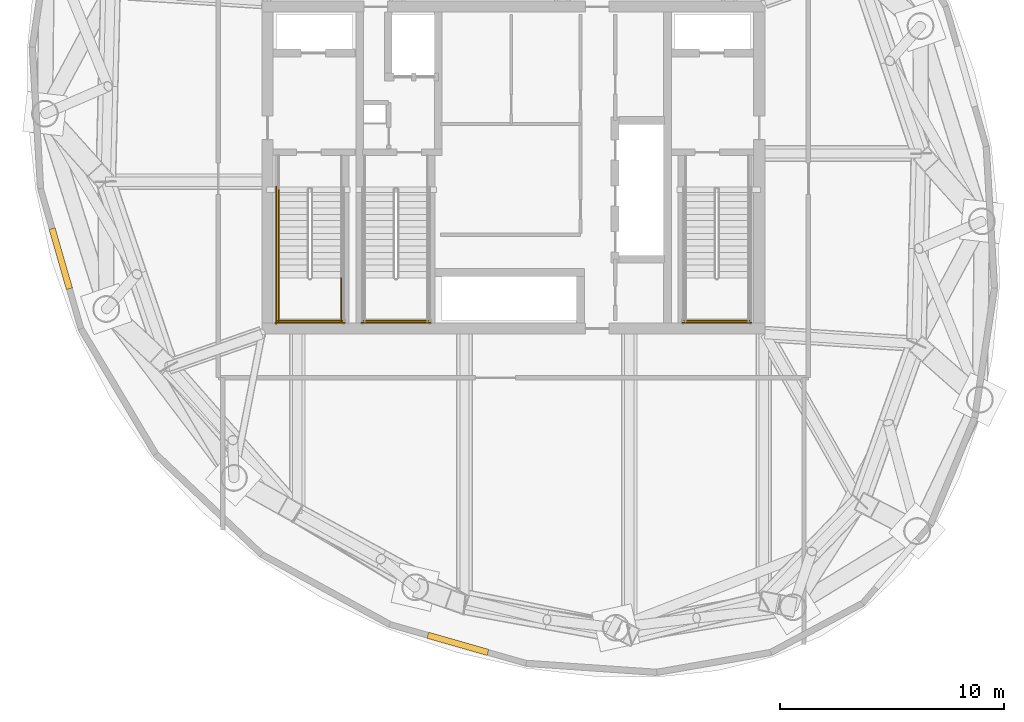
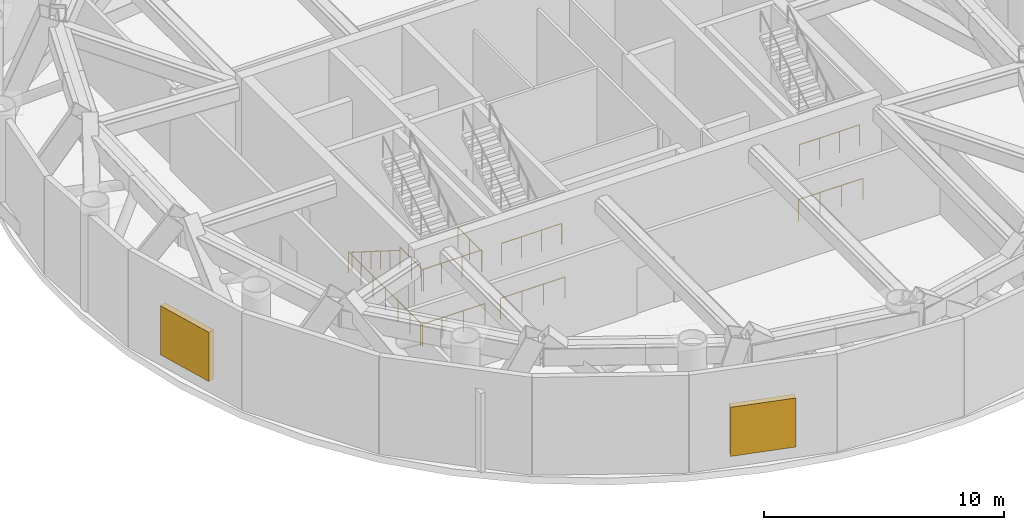
# One storey, part 7 of 9: 10 railings, 2 shading devices.
"""IFC4 building model written with IfcOpenShell, lengths in metres."""

import ifcopenshell
import ifcopenshell.guid

model = None  # the IFC model being written
_history = None  # IfcOwnerHistory: only IFC2X3 demands one
_inside = {}  # id of a spatial element -> (the spatial element, [elements in it])
_under = {}  # id of a project, library or spatial element -> (it, [spatial elements below it])
_declared = {}  # id of a project -> (the project, [libraries it declares])
_typed = {}  # id of a type object -> (the type object, [elements of that type])
_made_of = {}  # id of a material, layer set ... -> (it, [elements and type objects made of it])


def new_model(schema):
    """Start an empty IFC model of exactly this schema.

    Asked for "IFC4X3", IfcOpenShell would pick the latest addendum, in which some entities
    have other attributes; the version numbers below select the first issue.
    IFC2X3 requires an IfcOwnerHistory on every rooted entity: one is made here for all.
    """
    global model, _history
    if schema == "IFC4X3":
        model = ifcopenshell.file(schema_version=(4, 3, 0, 0))
    else:
        model = ifcopenshell.file(schema=schema)
    _inside.clear()
    _under.clear()
    _declared.clear()
    _typed.clear()
    _made_of.clear()
    _history = None
    if model.schema == "IFC2X3":
        org = make("IfcOrganization", Name="unknown")
        user = make(
            "IfcPersonAndOrganization",
            ThePerson=make("IfcPerson", FamilyName="unknown"),
            TheOrganization=org,
        )
        app = make(
            "IfcApplication",
            ApplicationDeveloper=org,
            Version="unknown",
            ApplicationFullName="unknown",
            ApplicationIdentifier="unknown",
        )
        _history = make(
            "IfcOwnerHistory",
            OwningUser=user,
            OwningApplication=app,
            ChangeAction="ADDED",
            CreationDate=0,
        )
    return model


def make(cls, **values):
    """One entity of the class cls with the attributes given. An attribute that is None is left unset."""
    return model.create_entity(
        cls, **{name: value for name, value in values.items() if value is not None}
    )


def rooted(cls, **values):
    """An entity with a GlobalId (a new one), such as an element, a storey or a relation."""
    return make(cls, GlobalId=ifcopenshell.guid.new(), OwnerHistory=_history, **values)


def si_unit(unit_type, name, prefix=None):
    """IfcSIUnit, for example si_unit("LENGTHUNIT", "METRE", prefix="MILLI")."""
    return make("IfcSIUnit", UnitType=unit_type, Prefix=prefix, Name=name)


def assignment(units):
    """IfcUnitAssignment: the units of a project."""
    return None if units is None else make("IfcUnitAssignment", Units=units)


def point(xyz):
    """IfcCartesianPoint."""
    return None if xyz is None else make("IfcCartesianPoint", Coordinates=xyz)


def direction(xyz):
    """IfcDirection."""
    return None if xyz is None else make("IfcDirection", DirectionRatios=xyz)


def frame(location, z_axis=None, x_axis=None):
    """IfcAxis2Placement3D, a coordinate frame: its origin and axes. An axis left out is left unset."""
    return make(
        "IfcAxis2Placement3D",
        Location=point(location),
        Axis=direction(z_axis),
        RefDirection=direction(x_axis),
    )


def frame_2d(location, x_axis=None):
    """IfcAxis2Placement2D, a coordinate frame in the plane: its origin and x axis."""
    return make(
        "IfcAxis2Placement2D", Location=point(location), RefDirection=direction(x_axis)
    )


def origin():
    """The frame at (0, 0, 0) with its axes left unset."""
    return frame((0.0, 0.0, 0.0))


def origin_2d():
    """The frame at (0, 0) in the plane with its x axis left unset."""
    return frame_2d((0.0, 0.0))


def place(relative_to, where):
    """IfcLocalPlacement: puts the frame where relative to a parent placement (None: the world)."""
    return make(
        "IfcLocalPlacement", PlacementRelTo=relative_to, RelativePlacement=where
    )


def context(
    kind, dimensions, precision=None, world=None, true_north=None, identifier=None
):
    """IfcGeometricRepresentationContext, for example the 3D "Model" context."""
    return make(
        "IfcGeometricRepresentationContext",
        ContextIdentifier=identifier,
        ContextType=kind,
        CoordinateSpaceDimension=dimensions,
        Precision=precision,
        WorldCoordinateSystem=world,
        TrueNorth=true_north,
    )


def subcontext(parent, identifier, kind, view, scale=None):
    """IfcGeometricRepresentationSubContext, for example "Body" below "Model"."""
    return make(
        "IfcGeometricRepresentationSubContext",
        ContextIdentifier=identifier,
        ContextType=kind,
        ParentContext=parent,
        TargetScale=scale,
        TargetView=view,
    )


def project(units=None, contexts=None):
    """IfcProject with its units and contexts."""
    return rooted(
        "IfcProject",
        Name="project",
        RepresentationContexts=contexts,
        UnitsInContext=assignment(units),
    )


def spatial(cls, under=None, at=None, **own):
    """A site, building, storey or space (cls), placed at a placement, below another one or the project."""
    s = rooted(cls, ObjectPlacement=at, **own)
    if under is not None:
        _under.setdefault(under.id(), (under, []))[1].append(s)
    return s


def profile(cls, at=None, kind="AREA", **sizes):
    """A parametric profile (cls). Its sizes go by their IFC names, for example OverallWidth=200.0."""
    return make(cls, ProfileType=kind, Position=at, **sizes)


def rectangle(**sizes):
    """IfcRectangleProfileDef."""
    return profile("IfcRectangleProfileDef", **sizes)


def circle(**sizes):
    """IfcCircleProfileDef."""
    return profile("IfcCircleProfileDef", **sizes)


def extrude(swept, where, along, depth):
    """IfcExtrudedAreaSolid: the profile swept, set in the frame where, extruded along a direction by depth."""
    return make(
        "IfcExtrudedAreaSolid",
        SweptArea=swept,
        Position=where,
        ExtrudedDirection=direction(along),
        Depth=depth,
    )


def shape(context_of_items, identifier, shape_type, items):
    """IfcShapeRepresentation: the items that make up one representation, for example the "Body"."""
    return make(
        "IfcShapeRepresentation",
        ContextOfItems=context_of_items,
        RepresentationIdentifier=identifier,
        RepresentationType=shape_type,
        Items=items,
    )


def material(Name=None, Category=None):
    """IfcMaterial."""
    return make("IfcMaterial", Name=Name, Category=Category)


def made_of(thing, what):
    """Note that an element or type object is made of a material, layer set ...; save() writes the relation."""
    if what is not None:
        _made_of.setdefault(what.id(), (what, []))[1].append(thing)
    return thing


def type_object(cls, material=None, **own):
    """A type object (cls), such as IfcWallType, which elements share."""
    return made_of(rooted(cls, **own), material)


def element(
    cls,
    number,
    at=None,
    inside=None,
    cuts=None,
    type_object=None,
    material=None,
    context=None,
    identifier="Body",
    shape_type=None,
    held_by="IfcProductDefinitionShape",
    body=None,
    shapes=None,
    **own,
):
    """One element of the class cls, such as IfcWall. Its Tag is "e" and its number.

    at: its placement. inside: the storey or other place that contains it. cuts: it is an
    opening in that element (IfcRelVoidsElement). A single representation is given by context,
    identifier, shape_type and body (its items); several are given by shapes. held_by: the class
    of the entity that holds the representations. save() writes the other relations.
    """
    e = rooted(cls, Tag="e%d" % number, ObjectPlacement=at, **own)
    if body is not None:
        shapes = [shape(context, identifier, shape_type, body)]
    if shapes is not None:
        e.Representation = make(held_by, Representations=shapes)
    if inside is not None:
        _inside.setdefault(inside.id(), (inside, []))[1].append(e)
    if cuts is not None:
        rooted(
            "IfcRelVoidsElement", RelatingBuildingElement=cuts, RelatedOpeningElement=e
        )
    if type_object is not None:
        _typed.setdefault(type_object.id(), (type_object, []))[1].append(e)
    return made_of(e, material)


def aggregate(whole, parts):
    """IfcRelAggregates: a whole, such as a stair, and the parts it consists of."""
    return rooted("IfcRelAggregates", RelatingObject=whole, RelatedObjects=parts)


def save(model, path):
    """Write the relations noted so far, then the file.

    IfcRelAggregates (storeys below a building ...), IfcRelContainedInSpatialStructure (elements
    in a storey), IfcRelDefinesByType, IfcRelAssociatesMaterial and IfcRelDeclares: one each for
    every whole, place, type object, material and project.
    """
    for whole, parts in _under.values():
        aggregate(whole, parts)
    for where, things in _inside.values():
        rooted(
            "IfcRelContainedInSpatialStructure",
            RelatedElements=things,
            RelatingStructure=where,
        )
    for kind, things in _typed.values():
        rooted("IfcRelDefinesByType", RelatedObjects=things, RelatingType=kind)
    for what, things in _made_of.values():
        rooted("IfcRelAssociatesMaterial", RelatedObjects=things, RelatingMaterial=what)
    for by, libraries in _declared.values():
        rooted("IfcRelDeclares", RelatingContext=by, RelatedDefinitions=libraries)
    model.write(path)


model = new_model("IFC4")

# Units and contexts
model_context = context("Model", 3, precision=1e-05, world=origin(), true_north=direction((0.0, 1.0)))
body_context = subcontext(model_context, "Body", "Model", "MODEL_VIEW")
ifc_project = project(units=[si_unit("LENGTHUNIT", "METRE"), si_unit("AREAUNIT", "SQUARE_METRE"), si_unit("VOLUMEUNIT", "CUBIC_METRE"), si_unit("PLANEANGLEUNIT", "RADIAN"), si_unit("MASSUNIT", "GRAM", prefix="KILO")], contexts=[model_context])

# Site, building, storey
site_placement = place(None, origin())
site = spatial("IfcSite", under=ifc_project, at=site_placement, CompositionType="ELEMENT")
building_placement = place(site_placement, origin())
building = spatial("IfcBuilding", under=site, at=building_placement, Name="Bramvorn Convention Spire", CompositionType="ELEMENT")
storey_placement = place(building_placement, frame((0.0, 0.0, 236.64990234375)))
storey = spatial("IfcBuildingStorey", under=building, at=storey_placement, Name="L60", CompositionType="ELEMENT", Elevation=236.64990234375)

# Railings
ifc_material_1 = material(Name="Painted Steel Balustrade & Guardrail", Category="steel")
railing_type_1 = type_object("IfcRailingType", Name="RL-STAIR-GUARD-1100", PredefinedType="GUARDRAIL", material=ifc_material_1)
for number, where, name in (
    (1, (27.5, 21.06005859375, 2.7001953125), "L60 ST1 stair guard 3"),
    (2, (30.300048828125, 21.06005859375, 2.7001953125), "L60 ST1 stair guard 4"),
):
    element("IfcRailing", number, at=place(storey_placement, frame(where)), inside=storey, type_object=railing_type_1, Name=name, PredefinedType="GUARDRAIL", context=body_context, shape_type="SweptSolid", body=[
        extrude(circle(Radius=0.02392578125, at=origin_2d()), frame((0.0, 0.0, 1.076171875), z_axis=(0.0, -1.0, 0.0), x_axis=(1.0, 0.0, 0.0)), (0.0, 0.0, 1.0), 1.9599609375),
        extrude(circle(Radius=0.02099609375, at=origin_2d()), origin(), (0.0, 0.0, 1.0), 1.052001953125),
        extrude(circle(Radius=0.02099609375, at=origin_2d()), frame((0.0, -0.97998046875, 0.0)), (0.0, 0.0, 1.0), 1.052001953125),
        extrude(circle(Radius=0.02099609375, at=origin_2d()), frame((0.0, -1.9599609375, 0.0)), (0.0, 0.0, 1.0), 1.052001953125),
    ])
railing_1_placement = place(storey_placement, frame((27.449951171875, 19.14990234375, 2.7001953125)))
element("IfcRailing", 3, at=railing_1_placement, inside=storey, type_object=railing_type_1, Name="L60 ST1 stair guard 5", PredefinedType="GUARDRAIL", context=body_context, shape_type="SweptSolid", body=[
    extrude(circle(Radius=0.02392578125, at=origin_2d()), frame((0.0, 0.0, 1.076171875), z_axis=(1.0, 0.0, 0.0), x_axis=(0.0, 1.0, 0.0)), (0.0, 0.0, 1.0), 2.900146484375),
    extrude(circle(Radius=0.02099609375, at=origin_2d()), origin(), (0.0, 0.0, 1.0), 1.052001953125),
    extrude(circle(Radius=0.02099609375, at=origin_2d()), frame((0.966796875, 0.0, 0.0)), (0.0, 0.0, 1.0), 1.052001953125),
    extrude(circle(Radius=0.02099609375, at=origin_2d()), frame((1.933349609375, 0.0, 0.0)), (0.0, 0.0, 1.0), 1.052001953125),
    extrude(circle(Radius=0.02099609375, at=origin_2d()), frame((2.900146484375, 0.0, 0.0)), (0.0, 0.0, 1.0), 1.052001953125),
])
railing_2_placement = place(storey_placement, frame((27.39990234375, 25.14990234375, 0.0)))
element("IfcRailing", 4, at=railing_2_placement, inside=storey, type_object=railing_type_1, Name="L60 ST1 stair guard 10", PredefinedType="GUARDRAIL", context=body_context, shape_type="SweptSolid", body=[
    extrude(circle(Radius=0.02392578125, at=origin_2d()), frame((0.0, 0.0, 1.076171875), z_axis=(0.0, -1.0, 0.0), x_axis=(1.0, 0.0, 0.0)), (0.0, 0.0, 1.0), 6.14990234375),
    extrude(circle(Radius=0.02099609375, at=origin_2d()), origin(), (0.0, 0.0, 1.0), 1.052001953125),
    extrude(circle(Radius=0.02099609375, at=origin_2d()), frame((0.0, -1.02490234375, 0.0)), (0.0, 0.0, 1.0), 1.052001953125),
    extrude(circle(Radius=0.02099609375, at=origin_2d()), frame((0.0, -2.050048828125, 0.0)), (0.0, 0.0, 1.0), 1.052001953125),
    extrude(circle(Radius=0.02099609375, at=origin_2d()), frame((0.0, -3.074951171875, 0.0)), (0.0, 0.0, 1.0), 1.052001953125),
    extrude(circle(Radius=0.02099609375, at=origin_2d()), frame((0.0, -4.099853515625, 0.0)), (0.0, 0.0, 1.0), 1.052001953125),
    extrude(circle(Radius=0.02099609375, at=origin_2d()), frame((0.0, -5.125, 0.0)), (0.0, 0.0, 1.0), 1.052001953125),
    extrude(circle(Radius=0.02099609375, at=origin_2d()), frame((0.0, -6.14990234375, 0.0)), (0.0, 0.0, 1.0), 1.052001953125),
])
railing_3_placement = place(storey_placement, frame((27.35009765625, 19.050048828125, 0.0)))
element("IfcRailing", 5, at=railing_3_placement, inside=storey, type_object=railing_type_1, Name="L60 ST1 stair guard 12", PredefinedType="GUARDRAIL", context=body_context, shape_type="SweptSolid", body=[
    extrude(circle(Radius=0.02392578125, at=origin_2d()), frame((0.0, 0.0, 1.076171875), z_axis=(1.0, 0.0, 0.0), x_axis=(0.0, 1.0, 0.0)), (0.0, 0.0, 1.0), 3.099853515625),
    extrude(circle(Radius=0.02099609375, at=origin_2d()), origin(), (0.0, 0.0, 1.0), 1.052001953125),
    extrude(circle(Radius=0.02099609375, at=origin_2d()), frame((1.033203125, 0.0, 0.0)), (0.0, 0.0, 1.0), 1.052001953125),
    extrude(circle(Radius=0.02099609375, at=origin_2d()), frame((2.066650390625, 0.0, 0.0)), (0.0, 0.0, 1.0), 1.052001953125),
    extrude(circle(Radius=0.02099609375, at=origin_2d()), frame((3.099853515625, 0.0, 0.0)), (0.0, 0.0, 1.0), 1.052001953125),
])
railing_4_placement = place(storey_placement, frame((45.64990234375, 19.14990234375, 2.7001953125)))
element("IfcRailing", 6, at=railing_4_placement, inside=storey, type_object=railing_type_1, Name="L60 ST2 stair guard 5", PredefinedType="GUARDRAIL", context=body_context, shape_type="SweptSolid", body=[
    extrude(circle(Radius=0.02392578125, at=origin_2d()), frame((0.0, 0.0, 1.076171875), z_axis=(1.0, 0.0, 0.0), x_axis=(0.0, 1.0, 0.0)), (0.0, 0.0, 1.0), 2.900146484375),
    extrude(circle(Radius=0.02099609375, at=origin_2d()), origin(), (0.0, 0.0, 1.0), 1.052001953125),
    extrude(circle(Radius=0.02099609375, at=origin_2d()), frame((0.966796875, 0.0, 0.0)), (0.0, 0.0, 1.0), 1.052001953125),
    extrude(circle(Radius=0.02099609375, at=origin_2d()), frame((1.933349609375, 0.0, 0.0)), (0.0, 0.0, 1.0), 1.052001953125),
    extrude(circle(Radius=0.02099609375, at=origin_2d()), frame((2.900146484375, 0.0, 0.0)), (0.0, 0.0, 1.0), 1.052001953125),
])
railing_5_placement = place(storey_placement, frame((45.550048828125, 19.050048828125, 0.0)))
element("IfcRailing", 7, at=railing_5_placement, inside=storey, type_object=railing_type_1, Name="L60 ST2 stair guard 12", PredefinedType="GUARDRAIL", context=body_context, shape_type="SweptSolid", body=[
    extrude(circle(Radius=0.02392578125, at=origin_2d()), frame((0.0, 0.0, 1.076171875), z_axis=(1.0, 0.0, 0.0), x_axis=(0.0, 1.0, 0.0)), (0.0, 0.0, 1.0), 3.099853515625),
    extrude(circle(Radius=0.02099609375, at=origin_2d()), origin(), (0.0, 0.0, 1.0), 1.052001953125),
    extrude(circle(Radius=0.02099609375, at=origin_2d()), frame((1.033203125, 0.0, 0.0)), (0.0, 0.0, 1.0), 1.052001953125),
    extrude(circle(Radius=0.02099609375, at=origin_2d()), frame((2.066650390625, 0.0, 0.0)), (0.0, 0.0, 1.0), 1.052001953125),
    extrude(circle(Radius=0.02099609375, at=origin_2d()), frame((3.099853515625, 0.0, 0.0)), (0.0, 0.0, 1.0), 1.052001953125),
])
railing_6_placement = place(storey_placement, frame((31.300048828125, 19.14990234375, 2.7001953125)))
element("IfcRailing", 8, at=railing_6_placement, inside=storey, type_object=railing_type_1, Name="L60 ST3 stair guard 5", PredefinedType="GUARDRAIL", context=body_context, shape_type="SweptSolid", body=[
    extrude(circle(Radius=0.02392578125, at=origin_2d()), frame((0.0, 0.0, 1.076171875), z_axis=(1.0, 0.0, 0.0), x_axis=(0.0, 1.0, 0.0)), (0.0, 0.0, 1.0), 2.89990234375),
    extrude(circle(Radius=0.02099609375, at=origin_2d()), origin(), (0.0, 0.0, 1.0), 1.052001953125),
    extrude(circle(Radius=0.02099609375, at=origin_2d()), frame((0.966552734375, 0.0, 0.0)), (0.0, 0.0, 1.0), 1.052001953125),
    extrude(circle(Radius=0.02099609375, at=origin_2d()), frame((1.933349609375, 0.0, 0.0)), (0.0, 0.0, 1.0), 1.052001953125),
    extrude(circle(Radius=0.02099609375, at=origin_2d()), frame((2.89990234375, 0.0, 0.0)), (0.0, 0.0, 1.0), 1.052001953125),
])
railing_7_placement = place(storey_placement, frame((31.199951171875, 19.050048828125, 0.0)))
element("IfcRailing", 9, at=railing_7_placement, inside=storey, type_object=railing_type_1, Name="L60 ST3 stair guard 12", PredefinedType="GUARDRAIL", context=body_context, shape_type="SweptSolid", body=[
    extrude(circle(Radius=0.02392578125, at=origin_2d()), frame((0.0, 0.0, 1.076171875), z_axis=(1.0, 0.0, 0.0), x_axis=(0.0, 1.0, 0.0)), (0.0, 0.0, 1.0), 3.10009765625),
    extrude(circle(Radius=0.02099609375, at=origin_2d()), origin(), (0.0, 0.0, 1.0), 1.052001953125),
    extrude(circle(Radius=0.02099609375, at=origin_2d()), frame((1.033447265625, 0.0, 0.0)), (0.0, 0.0, 1.0), 1.052001953125),
    extrude(circle(Radius=0.02099609375, at=origin_2d()), frame((2.066650390625, 0.0, 0.0)), (0.0, 0.0, 1.0), 1.052001953125),
    extrude(circle(Radius=0.02099609375, at=origin_2d()), frame((3.10009765625, 0.0, 0.0)), (0.0, 0.0, 1.0), 1.052001953125),
])
ifc_material_2 = material(Name="Brushed Bronze Tubular Handrail", Category="aluminium")
railing_type_2 = type_object("IfcRailingType", Name="RL-STAIR-HR-920", PredefinedType="HANDRAIL", material=ifc_material_2)
railing_8_placement = place(storey_placement, frame((27.5, 25.050048828125, 0.18017578125)))
element("IfcRailing", 10, at=railing_8_placement, inside=storey, type_object=railing_type_2, Name="L60 ST1 stair handrail 1", PredefinedType="HANDRAIL", context=body_context, shape_type="SweptSolid", body=[
    extrude(circle(Radius=0.02392578125, at=origin_2d()), frame((0.0, 0.0, 0.89599609375), z_axis=(0.0, -0.845486444383, 0.533996884227), x_axis=(1.0, 0.0, 0.0)), (0.0, 0.0, 1.0), 4.71923828125),
    extrude(circle(Radius=0.02099609375, at=origin_2d()), origin(), (0.0, 0.0, 1.0), 0.871826171875),
    extrude(circle(Radius=0.02099609375, at=origin_2d()), frame((0.0, -0.798095703125, 0.50390625)), (0.0, 0.0, 1.0), 0.871826171875),
    extrude(circle(Radius=0.02099609375, at=origin_2d()), frame((0.0, -1.595947265625, 1.008056640625)), (0.0, 0.0, 1.0), 0.871826171875),
    extrude(circle(Radius=0.02099609375, at=origin_2d()), frame((0.0, -2.39404296875, 1.511962890625)), (0.0, 0.0, 1.0), 0.871826171875),
    extrude(circle(Radius=0.02099609375, at=origin_2d()), frame((0.0, -3.19189453125, 2.01611328125)), (0.0, 0.0, 1.0), 0.871826171875),
    extrude(circle(Radius=0.02099609375, at=origin_2d()), frame((0.0, -3.989990234375, 2.52001953125)), (0.0, 0.0, 1.0), 0.871826171875),
])

# Shading devices
ifc_material_3 = material(Name="Acoustic Storm-Proof Anodised Bronze Aluminium Louvre", Category="aluminium")
shading_device_type = type_object("IfcShadingDeviceType", Name="SHD-LOUVRE-PLANT", PredefinedType="JALOUSIE", material=ifc_material_3)
for number, where, z_axis, x_axis, name in (
    (11, (17.75390625, 21.924072265625, 0.550048828125), (0.0, 0.0, 1.0), (-0.277189214648, 0.960815351294, 0.0), "L60 plant intake/exhaust acoustic louvre 17"),
    (12, (35.51904296875, 4.69384765625, 0.550048828125), (0.0, 0.0, 1.0), (-0.96163923741, 0.274317292698, 0.0), "L60 plant intake/exhaust acoustic louvre 21"),
):
    element("IfcShadingDevice", number, at=place(storey_placement, frame(where, z_axis=z_axis, x_axis=x_axis)), inside=storey, type_object=shading_device_type, Name=name, PredefinedType="JALOUSIE", context=body_context, shape_type="SweptSolid", body=[
        extrude(rectangle(XDim=2.800048828125, YDim=0.280029296875, at=origin_2d()), origin(), (0.0, 0.0, 1.0), 2.5),
    ])

save(model, "model.ifc")
